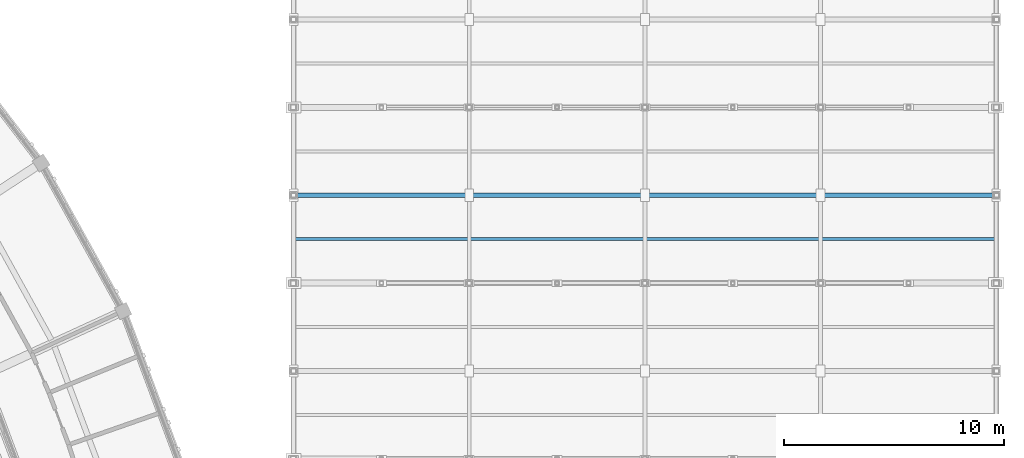
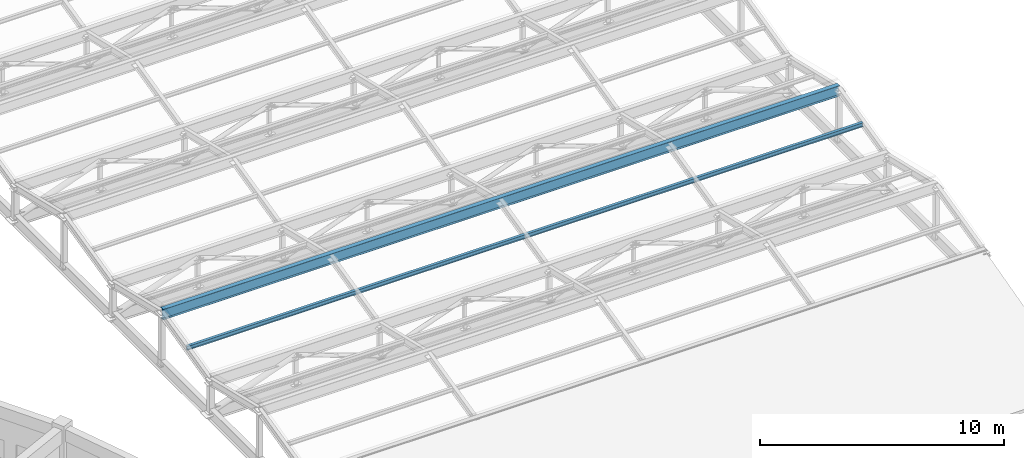
# One storey, part 47 of 112: 2 members.
"""IFC4 building model written with IfcOpenShell, lengths in metres."""

from ifc_helpers import new_model, si_unit, direction, frame, origin, origin_2d, place, context, subcontext, project, spatial, i_section, extrude, material, material_profile, profile_set, type_object, element, save


model = new_model("IFC4")

# Units and contexts
model_context = context("Model", 3, precision=1e-05, world=origin(), true_north=direction((0.0, 1.0)))
body_context = subcontext(model_context, "Body", "Model", "MODEL_VIEW")
ifc_project = project(units=[si_unit("LENGTHUNIT", "METRE"), si_unit("AREAUNIT", "SQUARE_METRE"), si_unit("VOLUMEUNIT", "CUBIC_METRE"), si_unit("PLANEANGLEUNIT", "RADIAN"), si_unit("MASSUNIT", "GRAM", prefix="KILO")], contexts=[model_context])

# Site, building, storey
site_placement = place(None, origin())
site = spatial("IfcSite", under=ifc_project, at=site_placement, CompositionType="ELEMENT")
building_placement = place(site_placement, origin())
building = spatial("IfcBuilding", under=site, at=building_placement, Name="Celadon Cloister-Ring School", CompositionType="ELEMENT")
storey_placement = place(building_placement, frame((0.0, 0.0, 8.5)))
storey = spatial("IfcBuildingStorey", under=building, at=storey_placement, Name="L02", CompositionType="ELEMENT", Elevation=8.5)

# Members
ifc_material_1 = material(Name="Structural steel S355JR", Category="steel")
ifc_material_profile_1 = material_profile(ifc_material_1, i_section(OverallWidth=0.208984375, OverallDepth=0.529052734375, WebThickness=0.009765625, FlangeThickness=0.01318359375, at=origin_2d()), Name="W530X74")
ifc_profile_set_1 = profile_set([ifc_material_profile_1], Name="Structural steel S355JR")
member_type_1 = type_object("IfcMemberType", Name="MC-04", PredefinedType="CHORD", material=ifc_profile_set_1)
member_1_placement = place(storey_placement, frame((142.0, 86.0, 3.449951171875), z_axis=(1.0, 0.0, 0.0), x_axis=(0.0, 1.0, 0.0)))
element("IfcMember", 1, at=member_1_placement, inside=storey, type_object=member_type_1, Name="Structural Member 0524", PredefinedType="CHORD", context=body_context, shape_type="SweptSolid", body=[
    extrude(i_section(OverallWidth=0.208984375, OverallDepth=0.529052734375, WebThickness=0.009765625, FlangeThickness=0.01318359375, at=origin_2d()), origin(), (0.0, 0.0, 1.0), 32.0),
])
ifc_material_2 = material(Name="Structural steel S355JR", Category="steel")
ifc_material_profile_2 = material_profile(ifc_material_2, i_section(OverallWidth=0.133056640625, OverallDepth=0.20703125, WebThickness=0.005859375, FlangeThickness=0.00830078125, at=origin_2d()), Name="W200X27")
ifc_profile_set_2 = profile_set([ifc_material_profile_2], Name="Structural steel S355JR")
member_type_2 = type_object("IfcMemberType", Name="MP-04", PredefinedType="PURLIN", material=ifc_profile_set_2)
member_2_placement = place(storey_placement, frame((142.02001953125, 84.0, 2.949951171875), z_axis=(1.0, 0.0, 0.0), x_axis=(0.0, 1.0, 0.0)))
element("IfcMember", 2, at=member_2_placement, inside=storey, type_object=member_type_2, Name="Structural Member 0535", PredefinedType="PURLIN", context=body_context, shape_type="SweptSolid", body=[
    extrude(i_section(OverallWidth=0.133056640625, OverallDepth=0.20703125, WebThickness=0.005859375, FlangeThickness=0.00830078125, at=origin_2d()), origin(), (0.0, 0.0, 1.0), 31.9599609375),
])

save(model, "model.ifc")
